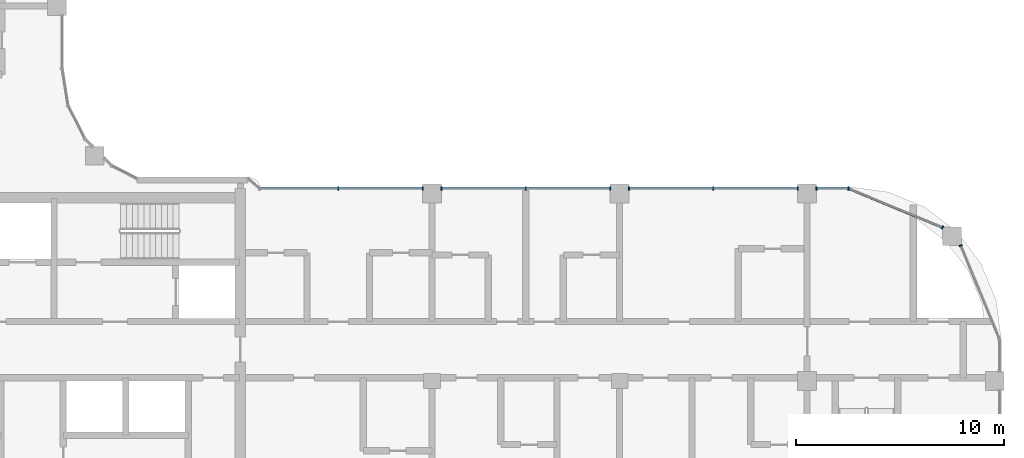
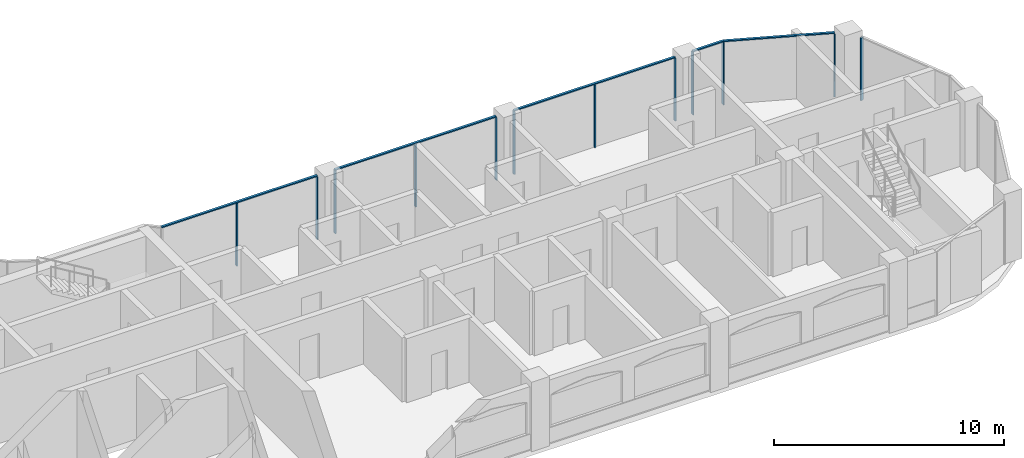
# One storey, part 4 of 17: 17 members, 6 elements without a shape of their own.
"""IFC4 building model written with IfcOpenShell, lengths in metres."""

from ifc_helpers import new_model, si_unit, direction, frame, origin, origin_2d, place, context, subcontext, project, spatial, rectangle, extrude, material, material_profile, profile_set, type_object, element, aggregate, save


model = new_model("IFC4")

# Units and contexts
model_context = context("Model", 3, precision=1e-05, world=origin(), true_north=direction((0.0, 1.0)))
body_context = subcontext(model_context, "Body", "Model", "MODEL_VIEW")
ifc_project = project(units=[si_unit("LENGTHUNIT", "METRE"), si_unit("AREAUNIT", "SQUARE_METRE"), si_unit("VOLUMEUNIT", "CUBIC_METRE"), si_unit("PLANEANGLEUNIT", "RADIAN"), si_unit("MASSUNIT", "GRAM", prefix="KILO")], contexts=[model_context])

# Site, building, storey
site_placement = place(None, origin())
site = spatial("IfcSite", under=ifc_project, at=site_placement, CompositionType="ELEMENT")
building_placement = place(site_placement, origin())
building = spatial("IfcBuilding", under=site, at=building_placement, Name="Ogive Portal Towers", CompositionType="ELEMENT")
storey_placement = place(building_placement, frame((0.0, 0.0, 221.699951171875)))
storey = spatial("IfcBuildingStorey", under=building, at=storey_placement, Name="L55", CompositionType="ELEMENT", Elevation=221.699951171875)

# Curtain wall, members
ifc_material_1 = material(Name="Glass, clear low-iron insulated glazing", Category="glass")
curtain_wall_type = type_object("IfcCurtainWallType", Name="CW FRONT RIBBON 4500", PredefinedType="NOTDEFINED", material=ifc_material_1)
curtain_wall_1_placement = place(storey_placement, origin())
curtain_wall_1 = element("IfcCurtainWall", 1, at=curtain_wall_1_placement, inside=storey, type_object=curtain_wall_type, Name="A:L55:f26:cw0~0", PredefinedType="NOTDEFINED")
ifc_material_2 = material(Name="Aluminium 6063 anodised", Category="aluminium")
ifc_material_profile_1 = material_profile(ifc_material_2, rectangle(XDim=0.159912109375, YDim=0.06005859375, at=origin_2d()), Name="AL 60x160")
ifc_profile_set_1 = profile_set([ifc_material_profile_1], Name="Aluminium 6063 anodised")
member_type_1 = type_object("IfcMemberType", Name="CW MULLION 60x160", PredefinedType="MULLION", material=ifc_profile_set_1)
member_1_placement = place(storey_placement, frame((87.484130859375, 39.739990234375, 0.0), z_axis=(0.0, 0.0, 1.0), x_axis=(0.0, -1.0, 0.0)))
member_1 = element("IfcMember", 2, at=member_1_placement, type_object=member_type_1, Name="mullion", PredefinedType="MULLION", context=body_context, shape_type="SweptSolid", body=[
    extrude(rectangle(XDim=0.159912109375, YDim=0.06005859375, at=origin_2d()), origin(), (0.0, 0.0, 1.0), 3.340087890625),
])
member_2_placement = place(storey_placement, frame((85.949951171875, 39.739990234375, 0.0), z_axis=(0.0, 0.0, 1.0), x_axis=(0.0, -1.0, 0.0)))
member_2 = element("IfcMember", 3, at=member_2_placement, type_object=member_type_1, Name="mullion", PredefinedType="MULLION", context=body_context, shape_type="SweptSolid", body=[
    extrude(rectangle(XDim=0.159912109375, YDim=0.06005859375, at=origin_2d()), origin(), (0.0, 0.0, 1.0), 3.340087890625),
])

curtain_wall_2_placement = place(storey_placement, origin())
curtain_wall_2 = element("IfcCurtainWall", 4, at=curtain_wall_2_placement, inside=storey, type_object=curtain_wall_type, Name="A:L55:f26:cw0~1", PredefinedType="NOTDEFINED")
member_3_placement = place(storey_placement, frame((85.050048828125, 39.739990234375, 0.0), z_axis=(0.0, 0.0, 1.0), x_axis=(0.0, -1.0, 0.0)))
member_3 = element("IfcMember", 5, at=member_3_placement, type_object=member_type_1, Name="mullion", PredefinedType="MULLION", context=body_context, shape_type="SweptSolid", body=[
    extrude(rectangle(XDim=0.159912109375, YDim=0.06005859375, at=origin_2d()), origin(), (0.0, 0.0, 1.0), 3.340087890625),
])
member_4_placement = place(storey_placement, frame((81.0, 39.739990234375, 0.0), z_axis=(0.0, 0.0, 1.0), x_axis=(0.0, -1.0, 0.0)))
member_4 = element("IfcMember", 6, at=member_4_placement, type_object=member_type_1, Name="mullion", PredefinedType="MULLION", context=body_context, shape_type="SweptSolid", body=[
    extrude(rectangle(XDim=0.159912109375, YDim=0.06005859375, at=origin_2d()), origin(), (0.0, 0.0, 1.0), 3.340087890625),
])
member_5_placement = place(storey_placement, frame((76.949951171875, 39.739990234375, 0.0), z_axis=(0.0, 0.0, 1.0), x_axis=(0.0, -1.0, 0.0)))
member_5 = element("IfcMember", 7, at=member_5_placement, type_object=member_type_1, Name="mullion", PredefinedType="MULLION", context=body_context, shape_type="SweptSolid", body=[
    extrude(rectangle(XDim=0.159912109375, YDim=0.06005859375, at=origin_2d()), origin(), (0.0, 0.0, 1.0), 3.340087890625),
])

curtain_wall_3_placement = place(storey_placement, origin())
curtain_wall_3 = element("IfcCurtainWall", 8, at=curtain_wall_3_placement, inside=storey, type_object=curtain_wall_type, Name="A:L55:f26:cw0~2", PredefinedType="NOTDEFINED")
member_6_placement = place(storey_placement, frame((76.050048828125, 39.739990234375, 0.0), z_axis=(0.0, 0.0, 1.0), x_axis=(0.0, -1.0, 0.0)))
member_6 = element("IfcMember", 9, at=member_6_placement, type_object=member_type_1, Name="mullion", PredefinedType="MULLION", context=body_context, shape_type="SweptSolid", body=[
    extrude(rectangle(XDim=0.159912109375, YDim=0.06005859375, at=origin_2d()), origin(), (0.0, 0.0, 1.0), 3.340087890625),
])
member_7_placement = place(storey_placement, frame((72.0, 39.739990234375, 0.0), z_axis=(0.0, 0.0, 1.0), x_axis=(0.0, -1.0, 0.0)))
member_7 = element("IfcMember", 10, at=member_7_placement, type_object=member_type_1, Name="mullion", PredefinedType="MULLION", context=body_context, shape_type="SweptSolid", body=[
    extrude(rectangle(XDim=0.159912109375, YDim=0.06005859375, at=origin_2d()), origin(), (0.0, 0.0, 1.0), 3.340087890625),
])
member_8_placement = place(storey_placement, frame((67.949951171875, 39.739990234375, 0.0), z_axis=(0.0, 0.0, 1.0), x_axis=(0.0, -1.0, 0.0)))
member_8 = element("IfcMember", 11, at=member_8_placement, type_object=member_type_1, Name="mullion", PredefinedType="MULLION", context=body_context, shape_type="SweptSolid", body=[
    extrude(rectangle(XDim=0.159912109375, YDim=0.06005859375, at=origin_2d()), origin(), (0.0, 0.0, 1.0), 3.340087890625),
])

curtain_wall_4_placement = place(storey_placement, origin())
curtain_wall_4 = element("IfcCurtainWall", 12, at=curtain_wall_4_placement, inside=storey, type_object=curtain_wall_type, Name="A:L55:f26:cw0~3", PredefinedType="NOTDEFINED")
member_9_placement = place(storey_placement, frame((67.050048828125, 39.739990234375, 0.0), z_axis=(0.0, 0.0, 1.0), x_axis=(0.0, -1.0, 0.0)))
member_9 = element("IfcMember", 13, at=member_9_placement, type_object=member_type_1, Name="mullion", PredefinedType="MULLION", context=body_context, shape_type="SweptSolid", body=[
    extrude(rectangle(XDim=0.159912109375, YDim=0.06005859375, at=origin_2d()), origin(), (0.0, 0.0, 1.0), 3.340087890625),
])
member_10_placement = place(storey_placement, frame((63.0, 39.739990234375, 0.0), z_axis=(0.0, 0.0, 1.0), x_axis=(0.0, -1.0, 0.0)))
member_10 = element("IfcMember", 14, at=member_10_placement, type_object=member_type_1, Name="mullion", PredefinedType="MULLION", context=body_context, shape_type="SweptSolid", body=[
    extrude(rectangle(XDim=0.159912109375, YDim=0.06005859375, at=origin_2d()), origin(), (0.0, 0.0, 1.0), 3.340087890625),
])

# Curtain wall, member
curtain_wall_5_placement = place(storey_placement, origin())
curtain_wall_5 = element("IfcCurtainWall", 15, at=curtain_wall_5_placement, inside=storey, type_object=curtain_wall_type, Name="A:L55:f24:cwa~0", PredefinedType="NOTDEFINED")
member_11_placement = place(storey_placement, frame((92.869384765625, 37.0, 0.0), z_axis=(0.0, 0.0, 1.0), x_axis=(-0.923879532511, -0.382683432365, 0.0)))
member_11 = element("IfcMember", 16, at=member_11_placement, type_object=member_type_1, Name="mullion", PredefinedType="MULLION", context=body_context, shape_type="SweptSolid", body=[
    extrude(rectangle(XDim=0.159912109375, YDim=0.06005859375, at=origin_2d()), origin(), (0.0, 0.0, 1.0), 3.340087890625),
])
aggregate(curtain_wall_5, [member_11])

curtain_wall_6_placement = place(storey_placement, origin())
curtain_wall_6 = element("IfcCurtainWall", 17, at=curtain_wall_6_placement, inside=storey, type_object=curtain_wall_type, Name="A:L55:f24:cwa~1", PredefinedType="NOTDEFINED")
member_12_placement = place(storey_placement, frame((92.0, 37.869384765625, 0.0), z_axis=(0.0, 0.0, 1.0), x_axis=(-0.382683432365, -0.923879532511, 0.0)))
member_12 = element("IfcMember", 18, at=member_12_placement, type_object=member_type_1, Name="mullion", PredefinedType="MULLION", context=body_context, shape_type="SweptSolid", body=[
    extrude(rectangle(XDim=0.159912109375, YDim=0.06005859375, at=origin_2d()), origin(), (0.0, 0.0, 1.0), 3.340087890625),
])

# Member
ifc_material_profile_2 = material_profile(ifc_material_2, rectangle(XDim=0.1201171875, YDim=0.06005859375, at=origin_2d()), Name="AL 120x60")
ifc_profile_set_2 = profile_set([ifc_material_profile_2], Name="Aluminium 6063 anodised")
member_type_2 = type_object("IfcMemberType", Name="CW TRANSOM 60x120", PredefinedType="USERDEFINED", material=ifc_profile_set_2)
member_13_placement = place(storey_placement, frame((87.484130859375, 39.739990234375, 3.3701171875), z_axis=(-1.0, 0.0, 0.0), x_axis=(0.0, -1.0, 0.0)))
member_13 = element("IfcMember", 19, at=member_13_placement, type_object=member_type_2, Name="transom", ObjectType="TRANSOM", PredefinedType="USERDEFINED", context=body_context, shape_type="SweptSolid", body=[
    extrude(rectangle(XDim=0.1201171875, YDim=0.06005859375, at=origin_2d()), origin(), (0.0, 0.0, 1.0), 1.5341796875),
])

aggregate(curtain_wall_1, [member_13, member_1, member_2])

member_14_placement = place(storey_placement, frame((85.050048828125, 39.739990234375, 3.3701171875), z_axis=(-1.0, 0.0, 0.0), x_axis=(0.0, -1.0, 0.0)))
member_14 = element("IfcMember", 20, at=member_14_placement, type_object=member_type_2, Name="transom", ObjectType="TRANSOM", PredefinedType="USERDEFINED", context=body_context, shape_type="SweptSolid", body=[
    extrude(rectangle(XDim=0.1201171875, YDim=0.06005859375, at=origin_2d()), origin(), (0.0, 0.0, 1.0), 8.10009765625),
])

aggregate(curtain_wall_2, [member_14, member_3, member_4, member_5])

member_15_placement = place(storey_placement, frame((76.050048828125, 39.739990234375, 3.3701171875), z_axis=(-1.0, 0.0, 0.0), x_axis=(0.0, -1.0, 0.0)))
member_15 = element("IfcMember", 21, at=member_15_placement, type_object=member_type_2, Name="transom", ObjectType="TRANSOM", PredefinedType="USERDEFINED", context=body_context, shape_type="SweptSolid", body=[
    extrude(rectangle(XDim=0.1201171875, YDim=0.06005859375, at=origin_2d()), origin(), (0.0, 0.0, 1.0), 8.10009765625),
])

aggregate(curtain_wall_3, [member_15, member_6, member_7, member_8])

member_16_placement = place(storey_placement, frame((67.050048828125, 39.739990234375, 3.3701171875), z_axis=(-1.0, 0.0, 0.0), x_axis=(0.0, -1.0, 0.0)))
member_16 = element("IfcMember", 22, at=member_16_placement, type_object=member_type_2, Name="transom", ObjectType="TRANSOM", PredefinedType="USERDEFINED", context=body_context, shape_type="SweptSolid", body=[
    extrude(rectangle(XDim=0.1201171875, YDim=0.06005859375, at=origin_2d()), origin(), (0.0, 0.0, 1.0), 7.829833984375),
])

aggregate(curtain_wall_4, [member_16, member_9, member_10])

member_17_placement = place(storey_placement, frame((92.0, 37.869384765625, 3.3701171875), z_axis=(-0.923874380641, 0.382695869842, 0.0), x_axis=(-0.382695869842, -0.923874380641, 0.0)))
member_17 = element("IfcMember", 23, at=member_17_placement, type_object=member_type_2, Name="transom", ObjectType="TRANSOM", PredefinedType="USERDEFINED", context=body_context, shape_type="SweptSolid", body=[
    extrude(rectangle(XDim=0.1201171875, YDim=0.06005859375, at=origin_2d()), origin(), (0.0, 0.0, 1.0), 4.887939453125),
])

aggregate(curtain_wall_6, [member_17, member_12])

save(model, "model.ifc")
